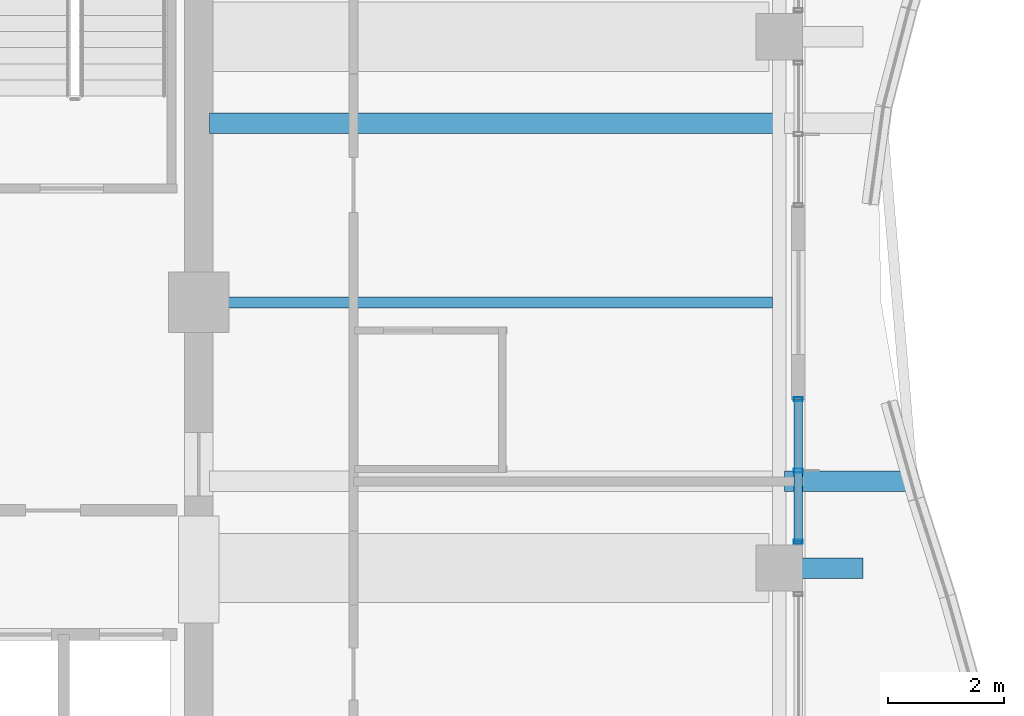
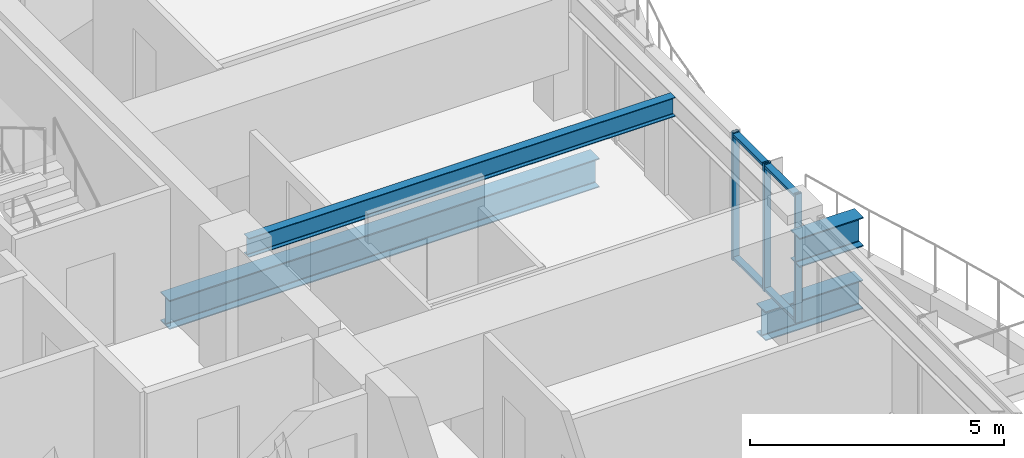
# One storey, part 14 of 35: 5 members, 4 beams, 1 element without a shape of its own.
"""IFC4 building model written with IfcOpenShell, lengths in metres."""

from ifc_helpers import new_model, si_unit, direction, frame, origin, origin_2d, place, context, subcontext, project, spatial, hollow_rectangle, i_section, extrude, material, material_profile, profile_set, type_object, element, aggregate, save


model = new_model("IFC4")

# Units and contexts
model_context = context("Model", 3, precision=1e-05, world=origin(), true_north=direction((0.0, 1.0)))
body_context = subcontext(model_context, "Body", "Model", "MODEL_VIEW")
ifc_project = project(units=[si_unit("LENGTHUNIT", "METRE"), si_unit("AREAUNIT", "SQUARE_METRE"), si_unit("VOLUMEUNIT", "CUBIC_METRE"), si_unit("PLANEANGLEUNIT", "RADIAN"), si_unit("MASSUNIT", "GRAM", prefix="KILO")], contexts=[model_context])

# Site, building, storey
site_placement = place(None, origin())
site = spatial("IfcSite", under=ifc_project, at=site_placement, CompositionType="ELEMENT")
building_placement = place(site_placement, origin())
building = spatial("IfcBuilding", under=site, at=building_placement, Name="Kolvaren Belvedere", CompositionType="ELEMENT")
storey_placement = place(building_placement, frame((0.0, 0.0, 203.10009765625)))
storey = spatial("IfcBuildingStorey", under=building, at=storey_placement, Name="L59", CompositionType="ELEMENT", Elevation=203.10009765625)

# Beams
ifc_material_1 = material(Name="Structural steel ASTM A992 Grade 50", Category="steel")
ifc_material_profile_1 = material_profile(ifc_material_1, i_section(OverallWidth=0.35498046875, OverallDepth=0.696044921875, WebThickness=0.015380859375, FlangeThickness=0.02490234375, FilletRadius=0.02197265625, at=origin_2d()), Name="W27X146")
ifc_profile_set_1 = profile_set([ifc_material_profile_1], Name="Structural steel ASTM A992 Grade 50")
beam_type_1 = type_object("IfcBeamType", Name="BM-CANT-BAL", PredefinedType="BEAM", material=ifc_profile_set_1)
beam_1_placement = place(storey_placement, frame((20.044921875, -3.10009765625, -0.568115234375), z_axis=(1.0, 0.0, 0.0), x_axis=(0.0, 1.0, 0.0)))
element("IfcBeam", 1, at=beam_1_placement, inside=storey, type_object=beam_type_1, Name="L59 Planted Balcony Cantilever BAL-E-1", PredefinedType="BEAM", context=body_context, shape_type="SweptSolid", body=[
    extrude(i_section(OverallWidth=0.35498046875, OverallDepth=0.696044921875, WebThickness=0.015380859375, FlangeThickness=0.02490234375, FilletRadius=0.02197265625, at=origin_2d()), origin(), (0.0, 0.0, 1.0), 2.213623046875),
])
beam_2_placement = place(storey_placement, frame((19.949951171875, -4.60009765625, 2.141845703125), z_axis=(1.0, 0.0, 0.0), x_axis=(0.0, 1.0, 0.0)))
element("IfcBeam", 2, at=beam_2_placement, inside=storey, type_object=beam_type_1, Name="L59 East Picture-Frame Column Corbel M", PredefinedType="BEAM", context=body_context, shape_type="SweptSolid", body=[
    extrude(i_section(OverallWidth=0.35498046875, OverallDepth=0.696044921875, WebThickness=0.015380859375, FlangeThickness=0.02490234375, FilletRadius=0.02197265625, at=origin_2d()), origin(), (0.0, 0.0, 1.0), 1.449951171875),
])
ifc_material_2 = material(Name="Structural steel ASTM A992 Grade 50", Category="steel")
ifc_material_profile_2 = material_profile(ifc_material_2, i_section(OverallWidth=0.35498046875, OverallDepth=0.696044921875, WebThickness=0.015380859375, FlangeThickness=0.02490234375, FilletRadius=0.02197265625, at=origin_2d()), Name="W27X146")
ifc_profile_set_2 = profile_set([ifc_material_profile_2], Name="Structural steel ASTM A992 Grade 50")
beam_type_2 = type_object("IfcBeamType", Name="BM-GIRD-W27X146", PredefinedType="BEAM", material=ifc_profile_set_2)
beam_3_placement = place(storey_placement, frame((10.090087890625, 3.10009765625, -0.568115234375), z_axis=(1.0, 0.0, 0.0), x_axis=(0.0, 1.0, 0.0)))
element("IfcBeam", 3, at=beam_3_placement, inside=storey, type_object=beam_type_2, Name="L59 Balcony Interior Back-Span Girder BAL-E-2", PredefinedType="BEAM", context=body_context, shape_type="SweptSolid", body=[
    extrude(i_section(OverallWidth=0.35498046875, OverallDepth=0.696044921875, WebThickness=0.015380859375, FlangeThickness=0.02490234375, FilletRadius=0.02197265625, at=origin_2d()), origin(), (0.0, 0.0, 1.0), 9.764892578125),
])
ifc_material_3 = material(Name="Structural steel ASTM A992 Grade 50", Category="steel")
ifc_material_profile_3 = material_profile(ifc_material_3, i_section(OverallWidth=0.19091796875, OverallDepth=0.4599609375, WebThickness=0.010009765625, FlangeThickness=0.01611328125, FilletRadius=0.014892578125, at=origin_2d()), Name="W18X55")
ifc_profile_set_3 = profile_set([ifc_material_profile_3], Name="Structural steel ASTM A992 Grade 50")
beam_type_3 = type_object("IfcBeamType", Name="BM-JOIST-W18X55", PredefinedType="BEAM", material=ifc_profile_set_3)
beam_4_placement = place(storey_placement, frame((10.14990234375, 0.0, 2.849853515625), z_axis=(1.0, 0.0, 0.0), x_axis=(0.0, 1.0, 0.0)))
element("IfcBeam", 4, at=beam_4_placement, inside=storey, type_object=beam_type_3, Name="L59 East Centre Floor Beam", PredefinedType="BEAM", context=body_context, shape_type="SweptSolid", body=[
    extrude(i_section(OverallWidth=0.19091796875, OverallDepth=0.4599609375, WebThickness=0.010009765625, FlangeThickness=0.01611328125, FilletRadius=0.014892578125, at=origin_2d()), origin(), (0.0, 0.0, 1.0), 9.685546875),
])

# Curtain wall, members
ifc_material_4 = material(Name="Anodised pale-metal aluminium AA 6063-T6", Category="aluminium")
curtain_wall_type = type_object("IfcCurtainWallType", Name="CW-Z5-HIGH", PredefinedType="NOTDEFINED", material=ifc_material_4)
curtain_wall_placement = place(storey_placement, origin())
curtain_wall = element("IfcCurtainWall", 5, at=curtain_wall_placement, inside=storey, type_object=curtain_wall_type, Name="L59 Unitised Curtain Wall FCW-L59-E2-B1", PredefinedType="NOTDEFINED")
ifc_material_5 = material(Name="Anodised pale-metal aluminium AA 6063-T6", Category="aluminium")
ifc_material_profile_4 = material_profile(ifc_material_5, hollow_rectangle(XDim=0.070068359375, YDim=0.14990234375, WallThickness=0.004150390625, at=origin_2d()), Name="ALU-MUL-150X70")
ifc_profile_set_4 = profile_set([ifc_material_profile_4], Name="Anodised pale-metal aluminium AA 6063-T6")
member_type_1 = type_object("IfcMemberType", Name="CW-MUL-150", PredefinedType="MULLION", material=ifc_profile_set_4)
member_1_placement = place(storey_placement, frame((20.280029296875, -1.679931640625, 0.0), z_axis=(0.0, 0.0, 1.0), x_axis=(0.0, 1.0, 0.0)))
member_1 = element("IfcMember", 6, at=member_1_placement, type_object=member_type_1, Name="FCW-L59-E2-B1 Unitised Mullion 1", PredefinedType="MULLION", context=body_context, shape_type="SweptSolid", body=[
    extrude(hollow_rectangle(XDim=0.070068359375, YDim=0.14990234375, WallThickness=0.004150390625, at=origin_2d()), origin(), (0.0, 0.0, 1.0), 3.079833984375),
])
member_2_placement = place(storey_placement, frame((20.280029296875, -2.91259765625, 0.0), z_axis=(0.0, 0.0, 1.0), x_axis=(0.0, 1.0, 0.0)))
member_2 = element("IfcMember", 7, at=member_2_placement, type_object=member_type_1, Name="FCW-L59-E2-B1 Unitised Mullion 2", PredefinedType="MULLION", context=body_context, shape_type="SweptSolid", body=[
    extrude(hollow_rectangle(XDim=0.070068359375, YDim=0.14990234375, WallThickness=0.004150390625, at=origin_2d()), origin(), (0.0, 0.0, 1.0), 3.079833984375),
])
member_3_placement = place(storey_placement, frame((20.280029296875, -4.14501953125, 0.0), z_axis=(0.0, 0.0, 1.0), x_axis=(0.0, 1.0, 0.0)))
member_3 = element("IfcMember", 8, at=member_3_placement, type_object=member_type_1, Name="FCW-L59-E2-B1 Unitised Mullion 3", PredefinedType="MULLION", context=body_context, shape_type="SweptSolid", body=[
    extrude(hollow_rectangle(XDim=0.070068359375, YDim=0.14990234375, WallThickness=0.004150390625, at=origin_2d()), origin(), (0.0, 0.0, 1.0), 3.079833984375),
])
ifc_material_6 = material(Name="Anodised pale-metal aluminium AA 6063-T6", Category="aluminium")
ifc_material_profile_5 = material_profile(ifc_material_6, hollow_rectangle(XDim=0.06494140625, YDim=0.14990234375, WallThickness=0.00390625, at=origin_2d()), Name="ALU-TRN-150X65")
ifc_profile_set_5 = profile_set([ifc_material_profile_5], Name="Anodised pale-metal aluminium AA 6063-T6")
member_type_2 = type_object("IfcMemberType", Name="CW-TRN-150", PredefinedType="USERDEFINED", material=ifc_profile_set_5)
member_4_placement = place(storey_placement, frame((20.280029296875, -1.679931640625, 0.059814453125), z_axis=(0.0, -1.0, 0.0), x_axis=(0.0, 0.0, 1.0)))
member_4 = element("IfcMember", 9, at=member_4_placement, type_object=member_type_2, Name="FCW-L59-E2-B1 Sill Transom", ObjectType="TRANSOM", PredefinedType="USERDEFINED", context=body_context, shape_type="SweptSolid", body=[
    extrude(hollow_rectangle(XDim=0.06494140625, YDim=0.14990234375, WallThickness=0.00390625, at=origin_2d()), origin(), (0.0, 0.0, 1.0), 2.465087890625),
])
member_5_placement = place(storey_placement, frame((20.280029296875, -1.679931640625, 3.02001953125), z_axis=(0.0, -1.0, 0.0), x_axis=(0.0, 0.0, 1.0)))
member_5 = element("IfcMember", 10, at=member_5_placement, type_object=member_type_2, Name="FCW-L59-E2-B1 Head Transom", ObjectType="TRANSOM", PredefinedType="USERDEFINED", context=body_context, shape_type="SweptSolid", body=[
    extrude(hollow_rectangle(XDim=0.06494140625, YDim=0.14990234375, WallThickness=0.00390625, at=origin_2d()), origin(), (0.0, 0.0, 1.0), 2.465087890625),
])
aggregate(curtain_wall, [member_1, member_2, member_3, member_4, member_5])

save(model, "model.ifc")
